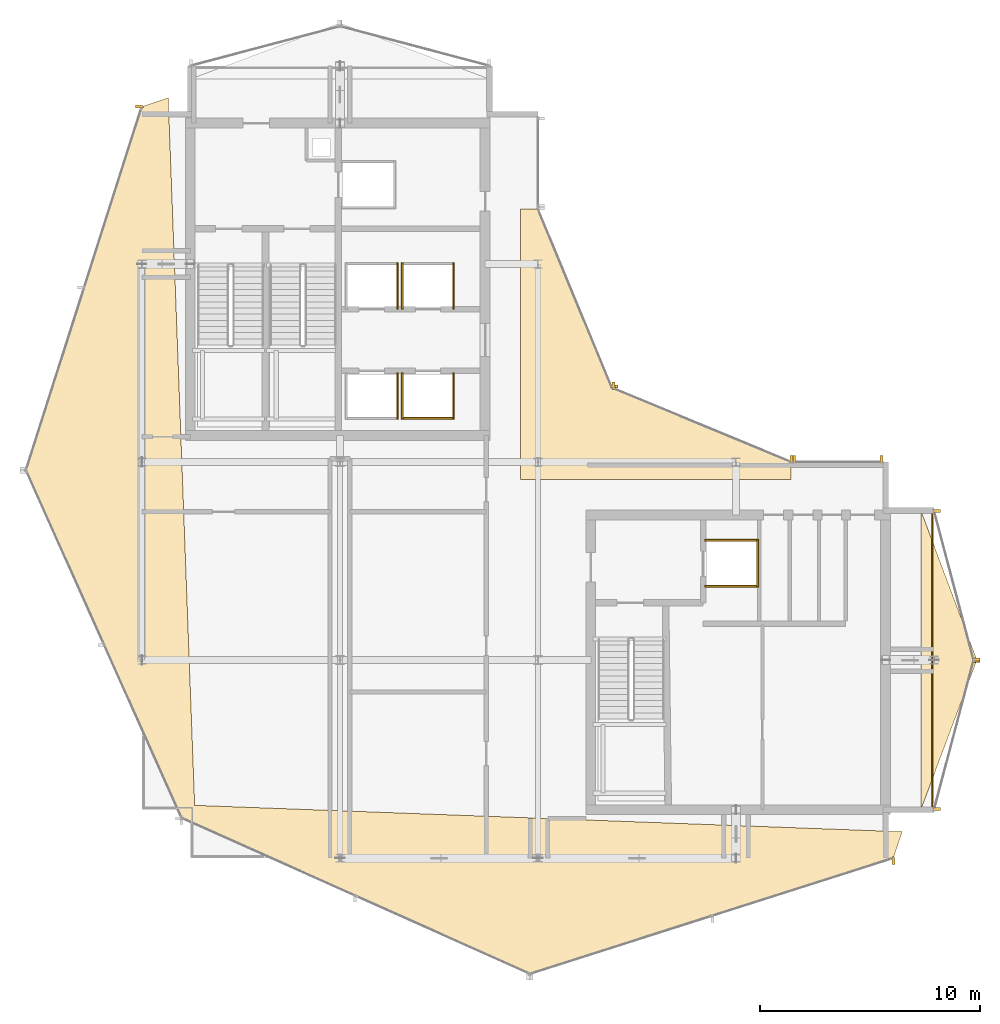
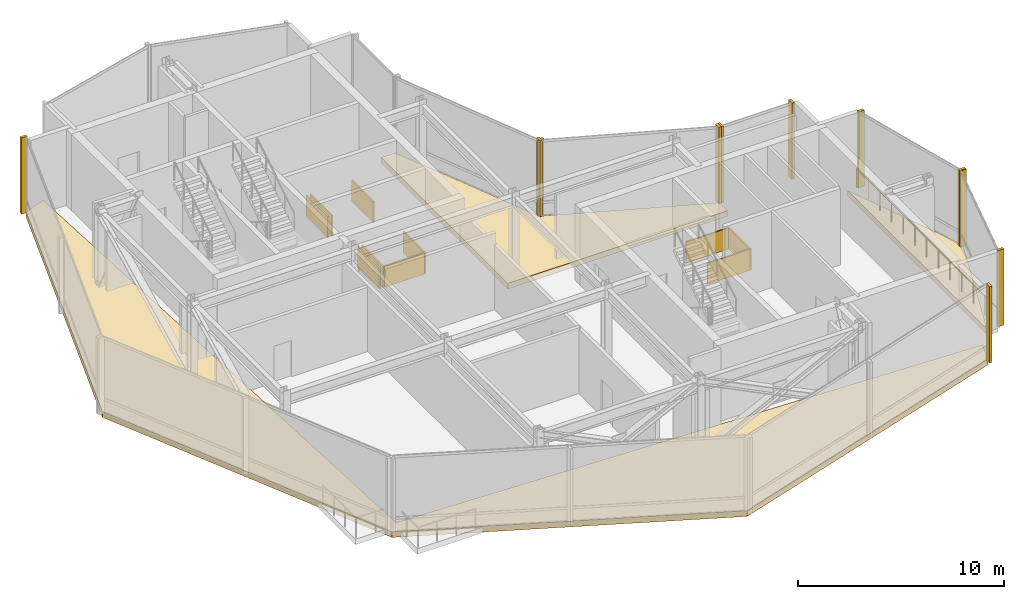
# One storey, part 22 of 23: 13 coverings, 11 shading devices, 1 railing.
"""IFC4 building model written with IfcOpenShell, lengths in metres."""

from ifc_helpers import new_model, si_unit, direction, frame, origin, origin_2d, place, context, subcontext, project, spatial, polyline, rectangle, circle, outline, extrude, material, layer, layer_set, type_object, element, save


model = new_model("IFC4")

# Units and contexts
model_context = context("Model", 3, precision=1e-05, world=origin(), true_north=direction((0.0, 1.0)))
body_context = subcontext(model_context, "Body", "Model", "MODEL_VIEW")
ifc_project = project(units=[si_unit("LENGTHUNIT", "METRE"), si_unit("AREAUNIT", "SQUARE_METRE"), si_unit("VOLUMEUNIT", "CUBIC_METRE"), si_unit("PLANEANGLEUNIT", "RADIAN"), si_unit("MASSUNIT", "GRAM", prefix="KILO")], contexts=[model_context])

# Site, building, storey
site_placement = place(None, origin())
site = spatial("IfcSite", under=ifc_project, at=site_placement, CompositionType="ELEMENT")
building_placement = place(site_placement, origin())
building = spatial("IfcBuilding", under=site, at=building_placement, Name="Solvaryn Broadcast Tower", CompositionType="ELEMENT")
storey_placement = place(building_placement, frame((0.0, 0.0, 285.199951171875)))
storey = spatial("IfcBuildingStorey", under=building, at=storey_placement, Name="L72", CompositionType="ELEMENT", Elevation=285.199951171875)

# Coverings
ifc_material_1 = material(Name="Fire-Rated Gypsum Shaftwall Liner", Category="concrete")
ifc_layer_1 = layer(ifc_material_1, 0.080078125)
ifc_layer_set_1 = layer_set([ifc_layer_1], Name="CV-SHAFT-LINER")
covering_type_1 = type_object("IfcCoveringType", Name="CV-SHAFT-LINER", PredefinedType="CLADDING", material=ifc_layer_set_1)
covering_1_placement = place(storey_placement, frame((20.614990234375, 30.0, 0.0), z_axis=(0.0, 0.0, 1.0), x_axis=(1.0, 0.0, 0.0)))
element("IfcCovering", 1, at=covering_1_placement, inside=storey, type_object=covering_type_1, Name="L72 PH1 Hoistway Shaft Liner East", PredefinedType="CLADDING", context=body_context, shape_type="SweptSolid", body=[
    extrude(rectangle(XDim=0.080078125, YDim=2.110107421875, at=origin_2d()), origin(), (0.0, 0.0, 1.0), 1.25),
])
covering_2_placement = place(storey_placement, frame((22.0, 28.985107421875, 0.0), z_axis=(0.0, 0.0, 1.0), x_axis=(1.0, 0.0, 0.0)))
element("IfcCovering", 2, at=covering_2_placement, inside=storey, type_object=covering_type_1, Name="L72 PH2 Hoistway Shaft Liner South", PredefinedType="CLADDING", context=body_context, shape_type="SweptSolid", body=[
    extrude(rectangle(XDim=2.409912109375, YDim=0.080078125, at=origin_2d()), origin(), (0.0, 0.0, 1.0), 1.25),
])
for number, where, z_axis, x_axis, name in (
    (3, (23.1650390625, 30.0, 0.0), (0.0, 0.0, 1.0), (1.0, 0.0, 0.0), "L72 PH2 Hoistway Shaft Liner East"),
    (4, (20.8349609375, 30.0, 0.0), (0.0, 0.0, 1.0), (1.0, 0.0, 0.0), "L72 PH2 Hoistway Shaft Liner West"),
    (5, (20.614990234375, 35.0, 0.0), (0.0, 0.0, 1.0), (1.0, 0.0, 0.0), "L72 PH3 Hoistway Shaft Liner East"),
    (6, (23.1650390625, 35.0, 0.0), (0.0, 0.0, 1.0), (1.0, 0.0, 0.0), "L72 PH4 Hoistway Shaft Liner East"),
    (7, (20.8349609375, 35.0, 0.0), (0.0, 0.0, 1.0), (1.0, 0.0, 0.0), "L72 PH4 Hoistway Shaft Liner West"),
):
    element("IfcCovering", number, at=place(storey_placement, frame(where, z_axis=z_axis, x_axis=x_axis)), inside=storey, type_object=covering_type_1, Name=name, PredefinedType="CLADDING", context=body_context, shape_type="SweptSolid", body=[
        extrude(rectangle(XDim=0.080078125, YDim=2.110107421875, at=origin_2d()), origin(), (0.0, 0.0, 1.0), 1.25),
    ])
for number, where, z_axis, x_axis, name in (
    (8, (35.800048828125, 23.43994140625, 0.0), (0.0, 0.0, 1.0), (1.0, 0.0, 0.0), "L72 FL2 Hoistway Shaft Liner North"),
    (9, (35.800048828125, 21.360107421875, 0.0), (0.0, 0.0, 1.0), (1.0, 0.0, 0.0), "L72 FL2 Hoistway Shaft Liner South"),
):
    element("IfcCovering", number, at=place(storey_placement, frame(where, z_axis=z_axis, x_axis=x_axis)), inside=storey, type_object=covering_type_1, Name=name, PredefinedType="CLADDING", context=body_context, shape_type="SweptSolid", body=[
        extrude(rectangle(XDim=2.4599609375, YDim=0.080078125, at=origin_2d()), origin(), (0.0, 0.0, 1.0), 1.25),
    ])
covering_3_placement = place(storey_placement, frame((36.989990234375, 22.39990234375, 0.0), z_axis=(0.0, 0.0, 1.0), x_axis=(1.0, 0.0, 0.0)))
element("IfcCovering", 10, at=covering_3_placement, inside=storey, type_object=covering_type_1, Name="L72 FL2 Hoistway Shaft Liner East", PredefinedType="CLADDING", context=body_context, shape_type="SweptSolid", body=[
    extrude(rectangle(XDim=0.080078125, YDim=2.159912109375, at=origin_2d()), origin(), (0.0, 0.0, 1.0), 1.25),
])
ifc_material_2 = material(Name="Sculpted Architectural Terracotta Wave Fascia", Category="masonry")
ifc_layer_2 = layer(ifc_material_2, 0.340087890625)
ifc_layer_set_2 = layer_set([ifc_layer_2], Name="CV-WAVE-TRAY")
covering_type_2 = type_object("IfcCoveringType", Name="CV-WAVE-TRAY", PredefinedType="CLADDING", material=ifc_layer_set_2)
covering_4_placement = place(storey_placement, frame((0.0, 0.0, -0.300048828125)))
element("IfcCovering", 11, at=covering_4_placement, inside=storey, type_object=covering_type_2, Name="L72 Stepped Cylindrical Drum Floor Apron", PredefinedType="CLADDING", context=body_context, shape_type="SweptSolid", body=[
    extrude(outline(polyline([(10.199951171875, 43.549072265625), (9.0, 43.14892578125), (3.738037109375, 26.635986328125), (10.81689453125, 10.81689453125), (26.635986328125, 3.738037109375), (43.14892578125, 9.0), (43.14892578125, 9.0), (43.549072265625, 10.199951171875), (11.39990234375, 11.39990234375), (10.199951171875, 43.549072265625)])), origin(), (0.0, 0.0, 1.0), 0.330078125),
])
covering_5_placement = place(storey_placement, frame((0.0, 0.0, -0.300048828125)))
element("IfcCovering", 12, at=covering_5_placement, inside=storey, type_object=covering_type_2, Name="L72 Concave Canyon Floor Apron", PredefinedType="CLADDING", context=body_context, shape_type="SweptSolid", body=[
    extrude(outline(polyline([(26.199951171875, 26.199951171875), (38.5, 26.199951171875), (38.5, 27.0), (30.367919921875, 30.367919921875), (27.0, 38.5), (26.199951171875, 38.5), (26.199951171875, 26.199951171875)])), origin(), (0.0, 0.0, 1.0), 0.330078125),
])
covering_6_placement = place(storey_placement, frame((0.0, 0.0, -0.300048828125)))
element("IfcCovering", 13, at=covering_6_placement, inside=storey, type_object=covering_type_2, Name="L72 East Curved Wing Deck", PredefinedType="CLADDING", context=body_context, shape_type="SweptSolid", body=[
    extrude(outline(polyline([(44.39990234375, 11.199951171875), (46.949951171875, 18.0), (44.39990234375, 24.800048828125), (44.39990234375, 11.199951171875)])), origin(), (0.0, 0.0, 1.0), 0.330078125),
])

# Railing
ifc_material_3 = material(Name="Stainless Steel and Laminated Glass Guard", Category="steel")
railing_type = type_object("IfcRailingType", Name="RL-TER-1150", PredefinedType="BALUSTRADE", material=ifc_material_3)
railing_placement = place(storey_placement, frame((44.919921875, 11.199951171875, 0.0)))
element("IfcRailing", 14, at=railing_placement, inside=storey, type_object=railing_type, Name="L72 East Wing Spandrel Edge Guard", PredefinedType="BALUSTRADE", context=body_context, shape_type="SweptSolid", body=[
    extrude(circle(Radius=0.02392578125, at=origin_2d()), frame((0.0, 0.0, 1.1259765625), z_axis=(0.0, 1.0, 0.0), x_axis=(-1.0, 0.0, 0.0)), (0.0, 0.0, 1.0), 13.60009765625),
    extrude(circle(Radius=0.02099609375, at=origin_2d()), origin(), (0.0, 0.0, 1.0), 1.101806640625),
    extrude(circle(Radius=0.02099609375, at=origin_2d()), frame((0.0, 1.13330078125, 0.0)), (0.0, 0.0, 1.0), 1.101806640625),
    extrude(circle(Radius=0.02099609375, at=origin_2d()), frame((0.0, 2.2666015625, 0.0)), (0.0, 0.0, 1.0), 1.101806640625),
    extrude(circle(Radius=0.02099609375, at=origin_2d()), frame((0.0, 3.39990234375, 0.0)), (0.0, 0.0, 1.0), 1.101806640625),
    extrude(circle(Radius=0.02099609375, at=origin_2d()), frame((0.0, 4.533447265625, 0.0)), (0.0, 0.0, 1.0), 1.101806640625),
    extrude(circle(Radius=0.02099609375, at=origin_2d()), frame((0.0, 5.666748046875, 0.0)), (0.0, 0.0, 1.0), 1.101806640625),
    extrude(circle(Radius=0.02099609375, at=origin_2d()), frame((0.0, 6.800048828125, 0.0)), (0.0, 0.0, 1.0), 1.101806640625),
    extrude(circle(Radius=0.02099609375, at=origin_2d()), frame((0.0, 7.933349609375, 0.0)), (0.0, 0.0, 1.0), 1.101806640625),
    extrude(circle(Radius=0.02099609375, at=origin_2d()), frame((0.0, 9.066650390625, 0.0)), (0.0, 0.0, 1.0), 1.101806640625),
    extrude(circle(Radius=0.02099609375, at=origin_2d()), frame((0.0, 10.2001953125, 0.0)), (0.0, 0.0, 1.0), 1.101806640625),
    extrude(circle(Radius=0.02099609375, at=origin_2d()), frame((0.0, 11.33349609375, 0.0)), (0.0, 0.0, 1.0), 1.101806640625),
    extrude(circle(Radius=0.02099609375, at=origin_2d()), frame((0.0, 12.466796875, 0.0)), (0.0, 0.0, 1.0), 1.101806640625),
    extrude(circle(Radius=0.02099609375, at=origin_2d()), frame((0.0, 13.60009765625, 0.0)), (0.0, 0.0, 1.0), 1.101806640625),
])

# Shading devices
ifc_material_4 = material(Name="Anodised Aluminium Acoustic Louvre", Category="aluminium")
shading_device_type = type_object("IfcShadingDeviceType", Name="LV-01 Plant Intake Louvre", PredefinedType="USERDEFINED", material=ifc_material_4)
shading_device_placement = place(storey_placement, frame((8.87646484375, 43.156982421875, 0.0), z_axis=(0.0, 0.0, 1.0), x_axis=(1.0, 0.0, 0.0)))
element("IfcShadingDevice", 15, at=shading_device_placement, inside=storey, type_object=shading_device_type, Name="L72 Plant Acoustic Louvre LV-CW-L72-DR1/M00", ObjectType="LOUVRE", PredefinedType="USERDEFINED", context=body_context, shape_type="SweptSolid", body=[
    extrude(rectangle(XDim=0.340087890625, YDim=0.139892578125, at=origin_2d()), origin(), (0.0, 0.0, 1.0), 4.52001953125),
])
for number, where, z_axis, x_axis, name in (
    (16, (43.156982421875, 8.87646484375, 0.0), (0.0, 0.0, 1.0), (1.0, 0.0, 0.0), "L72 Plant Acoustic Louvre LV-CW-L72-DR4/M02"),
    (17, (38.518310546875, 27.12255859375, 0.0), (0.0, 0.0, 1.0), (1.0, 0.0, 0.0), "L72 Plant Acoustic Louvre LV-CW-L72-CN1/M00"),
    (18, (30.441650390625, 30.467529296875, 0.0), (0.0, 0.0, 1.0), (1.0, 0.0, 0.0), "L72 Plant Acoustic Louvre LV-CW-L72-CN1/M01"),
):
    element("IfcShadingDevice", number, at=place(storey_placement, frame(where, z_axis=z_axis, x_axis=x_axis)), inside=storey, type_object=shading_device_type, Name=name, ObjectType="LOUVRE", PredefinedType="USERDEFINED", context=body_context, shape_type="SweptSolid", body=[
        extrude(rectangle(XDim=0.139892578125, YDim=0.340087890625, at=origin_2d()), origin(), (0.0, 0.0, 1.0), 4.52001953125),
    ])
for number, where, z_axis, x_axis, name in (
    (19, (30.467529296875, 30.441650390625, 0.0), (0.0, 0.0, 1.0), (1.0, 0.0, 0.0), "L72 Plant Acoustic Louvre LV-CW-L72-CN2/M00"),
    (20, (45.1328125, 24.77099609375, 0.0), (0.0, 0.0, 1.0), (1.0, 0.0, 0.0), "L72 Plant Acoustic Louvre LV-CW-L72-ET1/M00"),
    (21, (46.917236328125, 18.029052734375, 0.0), (0.0, 0.0, 1.0), (1.0, 0.0, 0.0), "L72 Plant Acoustic Louvre LV-CW-L72-ET1/M01"),
    (22, (46.917236328125, 17.970947265625, 0.0), (0.0, 0.0, 1.0), (1.0, 0.0, 0.0), "L72 Plant Acoustic Louvre LV-CW-L72-ET2/M00"),
    (23, (45.1328125, 11.22900390625, 0.0), (0.0, 0.0, 1.0), (1.0, 0.0, 0.0), "L72 Plant Acoustic Louvre LV-CW-L72-ET2/M01"),
):
    element("IfcShadingDevice", number, at=place(storey_placement, frame(where, z_axis=z_axis, x_axis=x_axis)), inside=storey, type_object=shading_device_type, Name=name, ObjectType="LOUVRE", PredefinedType="USERDEFINED", context=body_context, shape_type="SweptSolid", body=[
        extrude(rectangle(XDim=0.340087890625, YDim=0.139892578125, at=origin_2d()), origin(), (0.0, 0.0, 1.0), 4.52001953125),
    ])
for number, where, z_axis, x_axis, name in (
    (24, (38.6298828125, 27.125, 0.0), (0.0, 0.0, 1.0), (1.0, 0.0, 0.0), "L72 Plant Acoustic Louvre LV-CW-L72-IH/M00"),
    (25, (42.6201171875, 27.125, 0.0), (0.0, 0.0, 1.0), (1.0, 0.0, 0.0), "L72 Plant Acoustic Louvre LV-CW-L72-IH/M01"),
):
    element("IfcShadingDevice", number, at=place(storey_placement, frame(where, z_axis=z_axis, x_axis=x_axis)), inside=storey, type_object=shading_device_type, Name=name, ObjectType="LOUVRE", PredefinedType="USERDEFINED", context=body_context, shape_type="SweptSolid", body=[
        extrude(rectangle(XDim=0.139892578125, YDim=0.340087890625, at=origin_2d()), origin(), (0.0, 0.0, 1.0), 4.52001953125),
    ])

save(model, "model.ifc")
